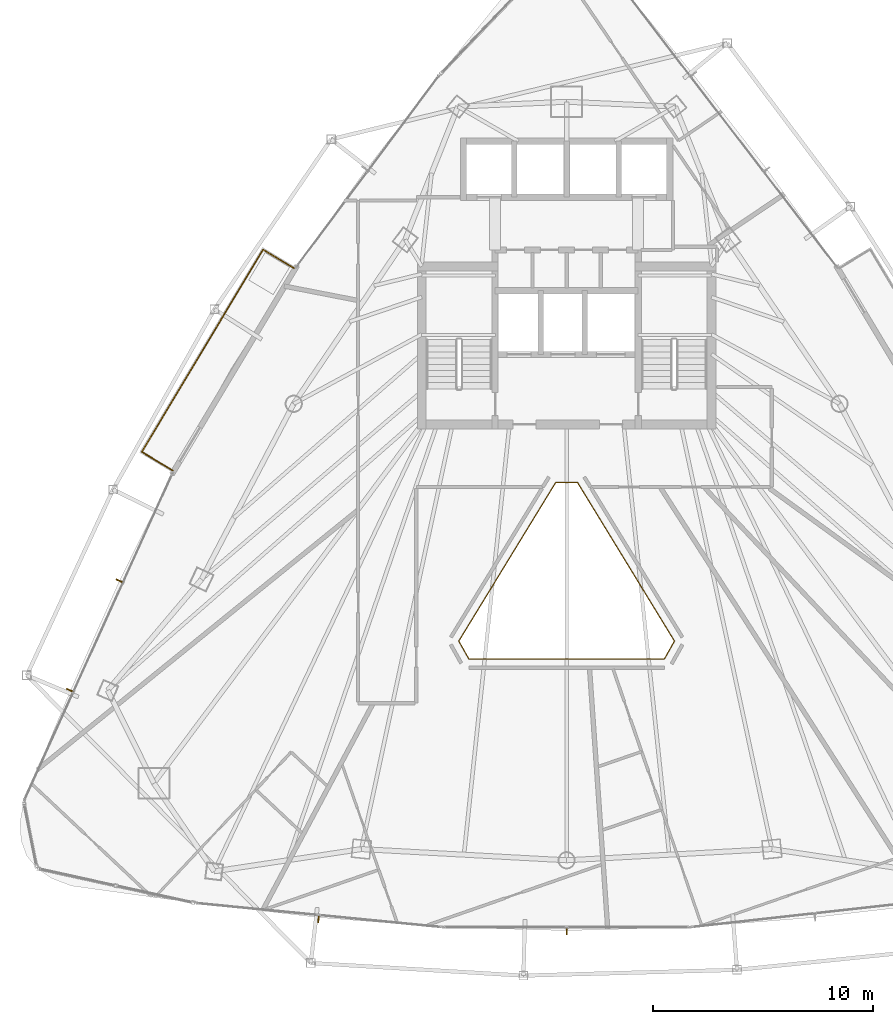
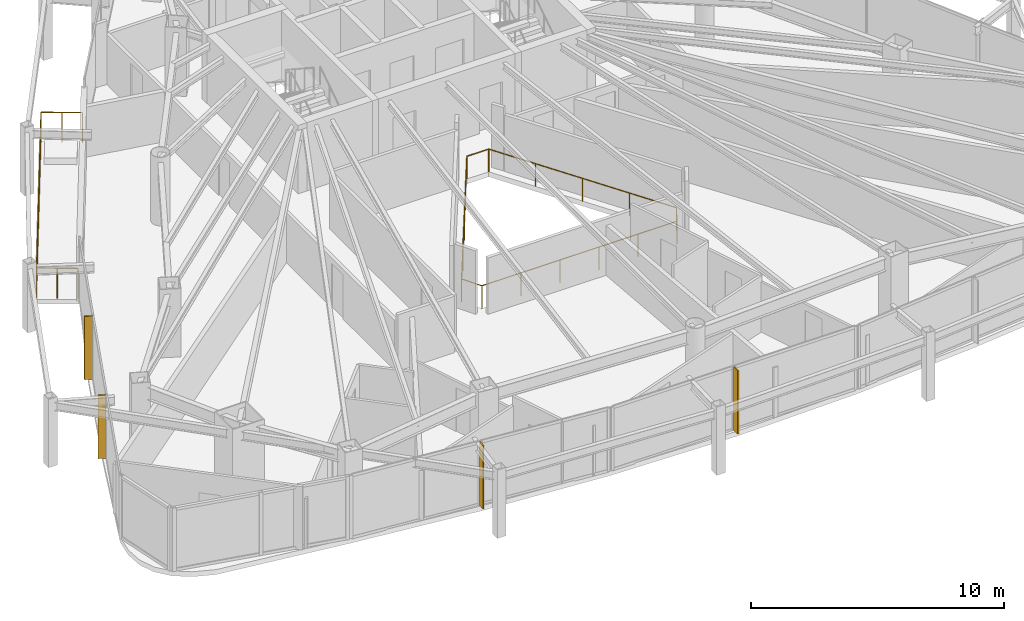
# One storey, part 27 of 29: 4 shading devices, 2 railings.
"""IFC4 building model written with IfcOpenShell, lengths in metres."""

from ifc_helpers import new_model, si_unit, direction, frame, origin, origin_2d, place, context, subcontext, project, spatial, rectangle, circle, extrude, material, layer, layer_set, type_object, element, save


model = new_model("IFC4")

# Units and contexts
model_context = context("Model", 3, precision=1e-05, world=origin(), true_north=direction((0.0, 1.0)))
body_context = subcontext(model_context, "Body", "Model", "MODEL_VIEW")
ifc_project = project(units=[si_unit("LENGTHUNIT", "METRE"), si_unit("AREAUNIT", "SQUARE_METRE"), si_unit("VOLUMEUNIT", "CUBIC_METRE"), si_unit("PLANEANGLEUNIT", "RADIAN"), si_unit("MASSUNIT", "GRAM", prefix="KILO")], contexts=[model_context])

# Site, building, storey
site_placement = place(None, origin())
site = spatial("IfcSite", under=ifc_project, at=site_placement, CompositionType="ELEMENT")
building_placement = place(site_placement, origin())
building = spatial("IfcBuilding", under=site, at=building_placement, Name="Orvanel Arch Residences", CompositionType="ELEMENT")
storey_placement = place(building_placement, frame((0.0, 0.0, 160.550048828125)))
storey = spatial("IfcBuildingStorey", under=building, at=storey_placement, Name="L45", CompositionType="ELEMENT", Elevation=160.550048828125)

# Shading devices
ifc_material = material(Name="Bronze-anodised aluminium AA6063-T6", Category="aluminium")
ifc_layer = layer(ifc_material, 0.054931640625)
ifc_layer_set = layer_set([ifc_layer], Name="Bronze-anodised aluminium AA6063-T6")
shading_device_type = type_object("IfcShadingDeviceType", Name="FIN-BRZ-320", PredefinedType="USERDEFINED", material=ifc_layer_set)
for number, where, z_axis, x_axis, name in (
    (1, (12.6240234375, 19.577880859375, 0.0), (0.0, 0.0, 1.0), (-0.910683660806, 0.413104429825, 0.0), "L45 Anodised Bronze Mullion FIN 01"),
    (2, (10.363037109375, 14.592041015625, 0.0), (0.0, 0.0, 1.0), (-0.910683660806, 0.413104429825, 0.0), "L45 Anodised Bronze Mullion FIN 02"),
    (3, (21.698974609375, 4.157958984375, 0.0), (0.0, 0.0, 1.0), (-0.097582899759, -0.995227399982, 0.0), "L45 Anodised Bronze Mullion FIN 01"),
    (4, (33.0, 3.60595703125, 0.0), (0.0, 0.0, 1.0), (0.0, -1.0, 0.0), "L45 Anodised Bronze Mullion FIN 01"),
):
    element("IfcShadingDevice", number, at=place(storey_placement, frame(where, z_axis=z_axis, x_axis=x_axis)), inside=storey, type_object=shading_device_type, Name=name, ObjectType="FIN", PredefinedType="USERDEFINED", context=body_context, shape_type="SweptSolid", body=[
        extrude(rectangle(XDim=0.320068359375, YDim=0.054931640625, at=origin_2d()), origin(), (0.0, 0.0, 1.0), 3.06005859375),
    ])

# Railings
railing_type_1 = type_object("IfcRailingType", Name="RL-ATR-1120", PredefinedType="BALUSTRADE", material=ifc_material)
railing_1_placement = place(storey_placement, frame((33.498046875, 24.049072265625, 0.0)))
element("IfcRailing", 5, at=railing_1_placement, inside=storey, type_object=railing_type_1, Name="L45 Atrium Void Protective Balustrade", PredefinedType="BALUSTRADE", context=body_context, shape_type="SweptSolid", body=[
    extrude(circle(Radius=0.02392578125, at=origin_2d()), frame((-0.00146484375, 0.0, 1.09619140625), z_axis=(-1.0, 0.0, 0.0), x_axis=(0.0, -1.0, 0.0)), (0.0, 0.0, 1.0), 0.9931640625),
    extrude(circle(Radius=0.02392578125, at=origin_2d()), frame((-0.996826171875, -0.001220703125, 1.09619140625), z_axis=(-0.5215235511, -0.853236887182, 0.0), x_axis=(0.853236887182, -0.5215235511, 0.0)), (0.0, 0.0, 1.0), 8.45654296875),
    extrude(circle(Radius=0.02392578125, at=origin_2d()), frame((-5.4072265625, -7.21923828125, 1.09619140625), z_axis=(0.489590575617, -0.871952446104, 0.0), x_axis=(0.871952446104, 0.489590575617, 0.0)), (0.0, 0.0, 1.0), 0.930419921875),
    extrude(circle(Radius=0.02392578125, at=origin_2d()), frame((-4.949462890625, -8.031982421875, 1.09619140625), z_axis=(1.0, 0.0, 0.0), x_axis=(0.0, 1.0, 0.0)), (0.0, 0.0, 1.0), 8.90283203125),
    extrude(circle(Radius=0.02392578125, at=origin_2d()), frame((3.95556640625, -8.03076171875, 1.09619140625), z_axis=(0.489590575617, 0.871952446104, 0.0), x_axis=(-0.871952446104, 0.489590575617, 0.0)), (0.0, 0.0, 1.0), 0.930419921875),
    extrude(circle(Radius=0.02392578125, at=origin_2d()), frame((4.4111328125, -7.216796875, 1.09619140625), z_axis=(-0.5215235511, 0.853236887182, 0.0), x_axis=(-0.853236887182, -0.5215235511, 0.0)), (0.0, 0.0, 1.0), 8.45654296875),
    extrude(circle(Radius=0.02099609375, at=origin_2d()), origin(), (0.0, 0.0, 1.0), 1.070068359375),
    extrude(circle(Radius=0.02099609375, at=origin_2d()), frame((-0.99609375, 0.0, 0.0)), (0.0, 0.0, 1.0), 1.070068359375),
    extrude(circle(Radius=0.02099609375, at=origin_2d()), frame((-2.09912109375, -1.804443359375, 0.0)), (0.0, 0.0, 1.0), 1.070068359375),
    extrude(circle(Radius=0.02099609375, at=origin_2d()), frame((-3.2021484375, -3.60888671875, 0.0)), (0.0, 0.0, 1.0), 1.070068359375),
    extrude(circle(Radius=0.02099609375, at=origin_2d()), frame((-4.304931640625, -5.41357421875, 0.0)), (0.0, 0.0, 1.0), 1.070068359375),
    extrude(circle(Radius=0.02099609375, at=origin_2d()), frame((-5.407958984375, -7.218017578125, 0.0)), (0.0, 0.0, 1.0), 1.070068359375),
    extrude(circle(Radius=0.02099609375, at=origin_2d()), frame((-4.950927734375, -8.031982421875, 0.0)), (0.0, 0.0, 1.0), 1.070068359375),
    extrude(circle(Radius=0.02099609375, at=origin_2d()), frame((-3.169677734375, -8.031982421875, 0.0)), (0.0, 0.0, 1.0), 1.070068359375),
    extrude(circle(Radius=0.02099609375, at=origin_2d()), frame((-1.388671875, -8.031982421875, 0.0)), (0.0, 0.0, 1.0), 1.070068359375),
    extrude(circle(Radius=0.02099609375, at=origin_2d()), frame((0.392578125, -8.031982421875, 0.0)), (0.0, 0.0, 1.0), 1.070068359375),
    extrude(circle(Radius=0.02099609375, at=origin_2d()), frame((2.173583984375, -8.031982421875, 0.0)), (0.0, 0.0, 1.0), 1.070068359375),
    extrude(circle(Radius=0.02099609375, at=origin_2d()), frame((3.954833984375, -8.031982421875, 0.0)), (0.0, 0.0, 1.0), 1.070068359375),
    extrude(circle(Radius=0.02099609375, at=origin_2d()), frame((4.411865234375, -7.218017578125, 0.0)), (0.0, 0.0, 1.0), 1.070068359375),
    extrude(circle(Radius=0.02099609375, at=origin_2d()), frame((3.308837890625, -5.41357421875, 0.0)), (0.0, 0.0, 1.0), 1.070068359375),
    extrude(circle(Radius=0.02099609375, at=origin_2d()), frame((2.2060546875, -3.60888671875, 0.0)), (0.0, 0.0, 1.0), 1.070068359375),
    extrude(circle(Radius=0.02099609375, at=origin_2d()), frame((1.10302734375, -1.804443359375, 0.0)), (0.0, 0.0, 1.0), 1.070068359375),
])
railing_type_2 = type_object("IfcRailingType", Name="RL-BAL-1480", PredefinedType="BALUSTRADE", material=ifc_material)
railing_2_placement = place(storey_placement, frame((20.5791015625, 33.818115234375, 0.0)))
element("IfcRailing", 6, at=railing_2_placement, inside=storey, type_object=railing_type_2, Name="L45 Balcony Perimeter Guardrail Face 1", PredefinedType="BALUSTRADE", context=body_context, shape_type="SweptSolid", body=[
    extrude(circle(Radius=0.02392578125, at=origin_2d()), frame((-0.001220703125, 0.000732421875, 1.4560546875), z_axis=(-0.857387817543, 0.514670895164, 0.0), x_axis=(-0.514670895164, -0.857387817543, 0.0)), (0.0, 0.0, 1.0), 1.636962890625),
    extrude(circle(Radius=0.02392578125, at=origin_2d()), frame((-1.40673828125, 0.8427734375, 1.4560546875), z_axis=(-0.514402191401, -0.857549057187, 0.0), x_axis=(0.857549057187, -0.514402191401, 0.0)), (0.0, 0.0, 1.0), 10.74169921875),
    extrude(circle(Radius=0.02392578125, at=origin_2d()), frame((-6.931884765625, -8.370849609375, 1.4560546875), z_axis=(0.857545439568, -0.514408222208, 0.0), x_axis=(0.514408222208, 0.857545439568, 0.0)), (0.0, 0.0, 1.0), 1.6376953125),
    extrude(circle(Radius=0.02099609375, at=origin_2d()), origin(), (0.0, 0.0, 1.0), 1.429931640625),
    extrude(circle(Radius=0.02099609375, at=origin_2d()), frame((-0.703125, 0.421875, 0.0)), (0.0, 0.0, 1.0), 1.429931640625),
    extrude(circle(Radius=0.02099609375, at=origin_2d()), frame((-1.406005859375, 0.843994140625, 0.0)), (0.0, 0.0, 1.0), 1.429931640625),
    extrude(circle(Radius=0.02099609375, at=origin_2d()), frame((-2.02001953125, -0.1796875, 0.0)), (0.0, 0.0, 1.0), 1.429931640625),
    extrude(circle(Radius=0.02099609375, at=origin_2d()), frame((-2.63427734375, -1.20361328125, 0.0)), (0.0, 0.0, 1.0), 1.429931640625),
    extrude(circle(Radius=0.02099609375, at=origin_2d()), frame((-3.248291015625, -2.227294921875, 0.0)), (0.0, 0.0, 1.0), 1.429931640625),
    extrude(circle(Radius=0.02099609375, at=origin_2d()), frame((-3.862548828125, -3.251220703125, 0.0)), (0.0, 0.0, 1.0), 1.429931640625),
    extrude(circle(Radius=0.02099609375, at=origin_2d()), frame((-4.4765625, -4.27490234375, 0.0)), (0.0, 0.0, 1.0), 1.429931640625),
    extrude(circle(Radius=0.02099609375, at=origin_2d()), frame((-5.0908203125, -5.298828125, 0.0)), (0.0, 0.0, 1.0), 1.429931640625),
    extrude(circle(Radius=0.02099609375, at=origin_2d()), frame((-5.704833984375, -6.322509765625, 0.0)), (0.0, 0.0, 1.0), 1.429931640625),
    extrude(circle(Radius=0.02099609375, at=origin_2d()), frame((-6.319091796875, -7.346435546875, 0.0)), (0.0, 0.0, 1.0), 1.429931640625),
    extrude(circle(Radius=0.02099609375, at=origin_2d()), frame((-6.93310546875, -8.3701171875, 0.0)), (0.0, 0.0, 1.0), 1.429931640625),
    extrude(circle(Radius=0.02099609375, at=origin_2d()), frame((-6.2294921875, -8.7919921875, 0.0)), (0.0, 0.0, 1.0), 1.429931640625),
    extrude(circle(Radius=0.02099609375, at=origin_2d()), frame((-5.526123046875, -9.214111328125, 0.0)), (0.0, 0.0, 1.0), 1.429931640625),
])

save(model, "model.ifc")
